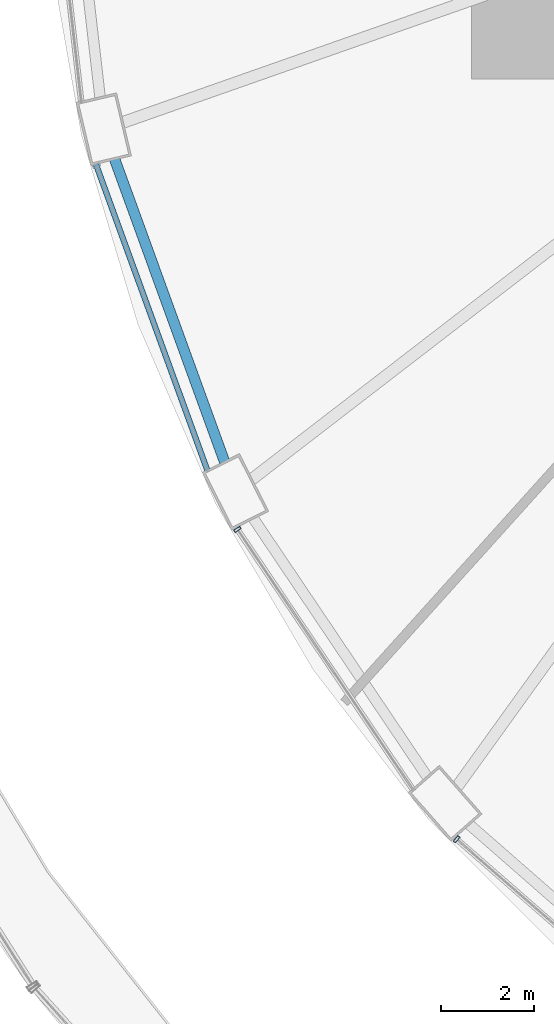
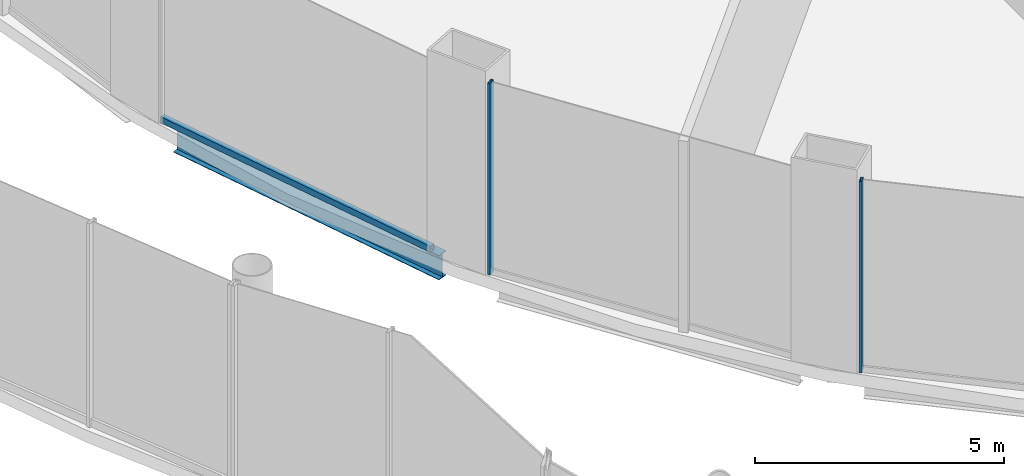
# One storey, part 6 of 48: 3 members, 1 beam, 3 elements without a shape of their own.
"""IFC4 building model written with IfcOpenShell, lengths in metres."""

from ifc_helpers import new_model, si_unit, direction, frame, origin, origin_2d, place, context, subcontext, project, spatial, hollow_rectangle, i_section, extrude, material, layer, layer_set, material_profile, profile_set, type_object, element, aggregate, save


model = new_model("IFC4")

# Units and contexts
model_context = context("Model", 3, precision=1e-05, world=origin(), true_north=direction((0.0, 1.0)))
body_context = subcontext(model_context, "Body", "Model", "MODEL_VIEW")
ifc_project = project(units=[si_unit("LENGTHUNIT", "METRE"), si_unit("AREAUNIT", "SQUARE_METRE"), si_unit("VOLUMEUNIT", "CUBIC_METRE"), si_unit("PLANEANGLEUNIT", "RADIAN"), si_unit("MASSUNIT", "GRAM", prefix="KILO")], contexts=[model_context])

# Site, building, storey
site_placement = place(None, origin())
site = spatial("IfcSite", under=ifc_project, at=site_placement, CompositionType="ELEMENT")
building_placement = place(site_placement, origin())
building = spatial("IfcBuilding", under=site, at=building_placement, Name="Nagisa Residences", CompositionType="ELEMENT")
storey_placement = place(building_placement, frame((0.0, 0.0, 12.0)))
storey = spatial("IfcBuildingStorey", under=building, at=storey_placement, Name="L02", CompositionType="ELEMENT", Elevation=12.0)

# Curtain wall, member
ifc_material_1 = material(Name="Stainless steel curtain wall system", Category="steel")
ifc_layer = layer(ifc_material_1, 0.159912109375)
ifc_layer_set = layer_set([ifc_layer], Name="CW6 CURTAIN WALL")
curtain_wall_type = type_object("IfcCurtainWallType", Name="CW6 CURTAIN WALL", PredefinedType="NOTDEFINED", material=ifc_layer_set)
curtain_wall_1_placement = place(storey_placement, origin())
curtain_wall_1 = element("IfcCurtainWall", 1, at=curtain_wall_1_placement, inside=storey, type_object=curtain_wall_type, Name="cw:CW6:L02:28", PredefinedType="NOTDEFINED")
ifc_material_2 = material(Name="Stainless steel", Category="steel")
ifc_material_profile_1 = material_profile(ifc_material_2, hollow_rectangle(XDim=0.159912109375, YDim=0.06005859375, WallThickness=0.006103515625, at=origin_2d()), Name="CW6 MULLION 160x60")
ifc_profile_set_1 = profile_set([ifc_material_profile_1], Name="Stainless steel")
member_type_1 = type_object("IfcMemberType", Name="CW6 MULLION 160x60", PredefinedType="MULLION", material=ifc_profile_set_1)
member_1_placement = place(storey_placement, frame((-21.040283203125, -17.060546875, 0.0), z_axis=(0.0, 0.0, 1.0), x_axis=(0.829110926393, 0.559084136544, 0.0)))
member_1 = element("IfcMember", 2, at=member_1_placement, type_object=member_type_1, Name="CW6 mullion", PredefinedType="MULLION", context=body_context, shape_type="SweptSolid", body=[
    extrude(hollow_rectangle(XDim=0.159912109375, YDim=0.06005859375, WallThickness=0.006103515625, at=origin_2d()), origin(), (0.0, 0.0, 1.0), 4.699951171875),
])
aggregate(curtain_wall_1, [member_1])

curtain_wall_2_placement = place(storey_placement, origin())
curtain_wall_2 = element("IfcCurtainWall", 3, at=curtain_wall_2_placement, inside=storey, type_object=curtain_wall_type, Name="cw:CW6:L02:30", PredefinedType="NOTDEFINED")
member_2_placement = place(storey_placement, frame((-16.3037109375, -23.75439453125, 0.0), z_axis=(0.0, 0.0, 1.0), x_axis=(0.657721475708, 0.753261216572, 0.0)))
member_2 = element("IfcMember", 4, at=member_2_placement, type_object=member_type_1, Name="CW6 mullion", PredefinedType="MULLION", context=body_context, shape_type="SweptSolid", body=[
    extrude(hollow_rectangle(XDim=0.159912109375, YDim=0.06005859375, WallThickness=0.006103515625, at=origin_2d()), origin(), (0.0, 0.0, 1.0), 4.699951171875),
])
aggregate(curtain_wall_2, [member_2])

curtain_wall_3_placement = place(storey_placement, origin())
curtain_wall_3 = element("IfcCurtainWall", 5, at=curtain_wall_3_placement, inside=storey, type_object=curtain_wall_type, Name="cw:CW6:L02:26", PredefinedType="NOTDEFINED")
ifc_material_3 = material(Name="Stainless steel", Category="steel")
ifc_material_profile_2 = material_profile(ifc_material_3, hollow_rectangle(XDim=0.1201171875, YDim=0.14990234375, WallThickness=0.008056640625, at=origin_2d()), Name="CW6 TRANSOM 120x150")
ifc_profile_set_2 = profile_set([ifc_material_profile_2], Name="Stainless steel")
member_type_2 = type_object("IfcMemberType", Name="CW6 TRANSOM 120x150", PredefinedType="USERDEFINED", material=ifc_profile_set_2)
member_3_placement = place(storey_placement, frame((-24.09716796875, -9.17138671875, 0.074951171875), z_axis=(0.342039719013, -0.939685495587, 0.0), x_axis=(0.939685495587, 0.342039719013, 0.0)))
member_3 = element("IfcMember", 6, at=member_3_placement, type_object=member_type_2, Name="CW6 transom", ObjectType="TRANSOM", PredefinedType="USERDEFINED", context=body_context, shape_type="SweptSolid", body=[
    extrude(hollow_rectangle(XDim=0.1201171875, YDim=0.14990234375, WallThickness=0.008056640625, at=origin_2d()), origin(), (0.0, 0.0, 1.0), 7.070068359375),
])
aggregate(curtain_wall_3, [member_3])

# Beam
ifc_material_4 = material(Name="Steel ASTM A572 Gr 50", Category="steel")
ifc_material_profile_3 = material_profile(ifc_material_4, i_section(OverallWidth=0.22802734375, OverallDepth=0.60302734375, WebThickness=0.010498046875, FlangeThickness=0.014892578125, at=origin_2d()), Name="W610x101")
ifc_profile_set_3 = profile_set([ifc_material_profile_3], Name="Steel ASTM A572 Gr 50")
beam_type = type_object("IfcBeamType", Name="Perimeter ring beam W610x101", PredefinedType="BEAM", material=ifc_profile_set_3)
beam_placement = place(storey_placement, frame((-23.695068359375, -9.055419921875, -0.6015625), z_axis=(0.341411143183, -0.939914055279, 0.0), x_axis=(0.939914055279, 0.341411143183, 0.0)))
element("IfcBeam", 7, at=beam_placement, inside=storey, type_object=beam_type, Name="beam:L02:pb14", PredefinedType="BEAM", context=body_context, shape_type="SweptSolid", body=[
    extrude(i_section(OverallWidth=0.22802734375, OverallDepth=0.60302734375, WebThickness=0.010498046875, FlangeThickness=0.014892578125, at=origin_2d()), origin(), (0.0, 0.0, 1.0), 6.96923828125),
])

save(model, "model.ifc")
